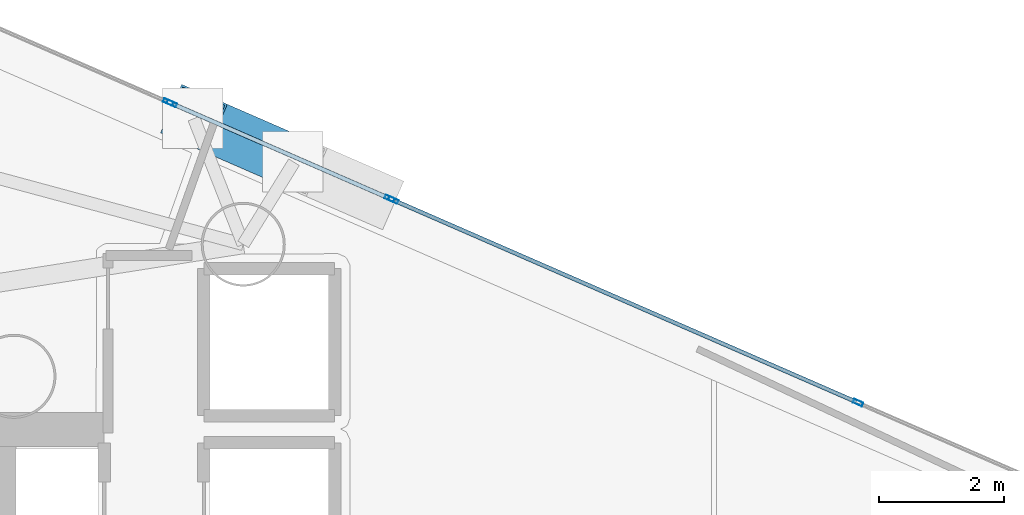
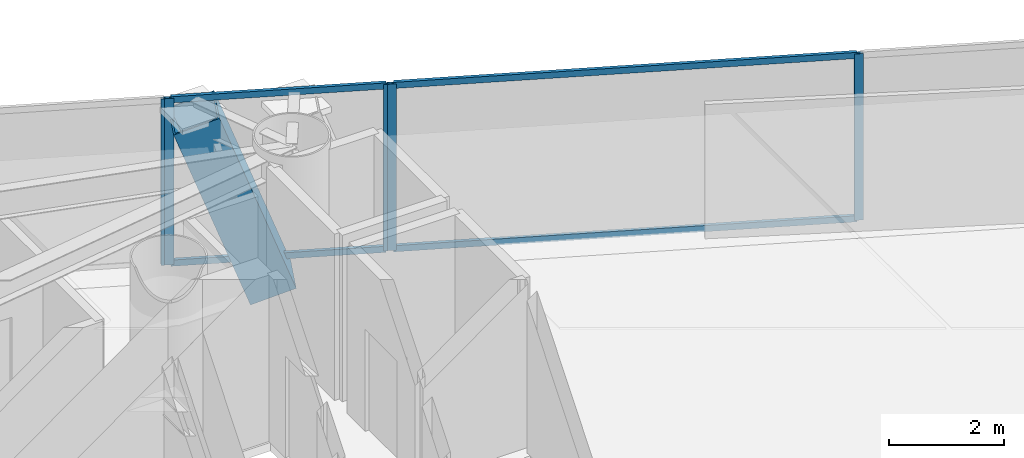
# One storey, part 12 of 20: 10 members, 3 elements without a shape of their own.
"""IFC4 building model written with IfcOpenShell, lengths in metres."""

from ifc_helpers import new_model, si_unit, direction, frame, origin, origin_2d, place, context, subcontext, project, spatial, hollow_rectangle, extrude, material, layer, layer_set, material_profile, profile_set, type_object, element, aggregate, save


model = new_model("IFC4")

# Units and contexts
model_context = context("Model", 3, precision=1e-05, world=origin(), true_north=direction((0.0, 1.0)))
body_context = subcontext(model_context, "Body", "Model", "MODEL_VIEW")
ifc_project = project(units=[si_unit("LENGTHUNIT", "METRE"), si_unit("AREAUNIT", "SQUARE_METRE"), si_unit("VOLUMEUNIT", "CUBIC_METRE"), si_unit("PLANEANGLEUNIT", "RADIAN"), si_unit("MASSUNIT", "GRAM", prefix="KILO")], contexts=[model_context])

# Site, building, storey
site_placement = place(None, origin())
site = spatial("IfcSite", under=ifc_project, at=site_placement, CompositionType="ELEMENT")
building_placement = place(site_placement, origin())
building = spatial("IfcBuilding", under=site, at=building_placement, Name="Qianvela Tower", CompositionType="ELEMENT")
storey_placement = place(building_placement, frame((0.0, 0.0, 151.300048828125)))
storey = spatial("IfcBuildingStorey", under=building, at=storey_placement, Name="L38", CompositionType="ELEMENT", Elevation=151.300048828125)

# Curtain wall, members
ifc_material_1 = material(Name="Anodised Architectural Aluminium and Insulated Spandrel Panel", Category="aluminium")
ifc_layer_1 = layer(ifc_material_1, 0.179931640625)
ifc_layer_set_1 = layer_set([ifc_layer_1], Name="Anodised Architectural Aluminium and Insulated Spandrel Panel")
curtain_wall_type_1 = type_object("IfcCurtainWallType", Name="CW-BRACEBAY", PredefinedType="USERDEFINED", material=ifc_layer_set_1)
curtain_wall_1_placement = place(storey_placement, origin())
curtain_wall_1 = element("IfcCurtainWall", 1, at=curtain_wall_1_placement, inside=storey, type_object=curtain_wall_type_1, Name="L38 CW-BRACEBAY Curtain Wall 02B", ObjectType="CURTAIN_WALL_SYSTEM", PredefinedType="USERDEFINED")
ifc_material_2 = material(Name="Anodised Architectural Aluminium 6063-T6", Category="aluminium")
ifc_material_profile_1 = material_profile(ifc_material_2, hollow_rectangle(XDim=0.06494140625, YDim=0.159912109375, WallThickness=0.0048828125, at=origin_2d()), Name="ALU-MULL-65x160")
ifc_profile_set_1 = profile_set([ifc_material_profile_1], Name="Anodised Architectural Aluminium 6063-T6")
member_type_1 = type_object("IfcMemberType", Name="CW-BRACEBAY-MULL", PredefinedType="MULLION", material=ifc_profile_set_1)
member_1_placement = place(storey_placement, frame((44.43359375, 36.40625, 0.0), z_axis=(0.0, 0.0, 1.0), x_axis=(-0.399607078086, -0.916686523924, 0.0)))
member_1 = element("IfcMember", 2, at=member_1_placement, type_object=member_type_1, Name="CW-9 mullion 1", PredefinedType="MULLION", context=body_context, shape_type="SweptSolid", body=[
    extrude(hollow_rectangle(XDim=0.06494140625, YDim=0.159912109375, WallThickness=0.0048828125, at=origin_2d()), origin(), (0.0, 0.0, 1.0), 3.52001953125),
])
member_2_placement = place(storey_placement, frame((40.9365234375, 37.9306640625, 0.0), z_axis=(0.0, 0.0, 1.0), x_axis=(-0.399607078086, -0.916686523924, 0.0)))
member_2 = element("IfcMember", 3, at=member_2_placement, type_object=member_type_1, Name="CW-9 mullion 2", PredefinedType="MULLION", context=body_context, shape_type="SweptSolid", body=[
    extrude(hollow_rectangle(XDim=0.06494140625, YDim=0.159912109375, WallThickness=0.0048828125, at=origin_2d()), origin(), (0.0, 0.0, 1.0), 3.52001953125),
])
ifc_material_3 = material(Name="Anodised Architectural Aluminium 6063-T6", Category="aluminium")
ifc_material_profile_2 = material_profile(ifc_material_3, hollow_rectangle(XDim=0.06494140625, YDim=0.1298828125, WallThickness=0.00439453125, at=origin_2d()), Name="ALU-TRAN-65x130")
ifc_profile_set_2 = profile_set([ifc_material_profile_2], Name="Anodised Architectural Aluminium 6063-T6")
member_type_2 = type_object("IfcMemberType", Name="CW-BRACEBAY-TRAN", PredefinedType="USERDEFINED", material=ifc_profile_set_2)
member_3_placement = place(storey_placement, frame((44.40380859375, 36.419189453125, 0.032470703125), z_axis=(-0.916682511493, 0.399616282354, 0.0), x_axis=(-0.399616282354, -0.916682511493, 0.0)))
member_3 = element("IfcMember", 4, at=member_3_placement, type_object=member_type_2, Name="CW-9 transom 1.1", ObjectType="TRANSOM", PredefinedType="USERDEFINED", context=body_context, shape_type="SweptSolid", body=[
    extrude(hollow_rectangle(XDim=0.06494140625, YDim=0.1298828125, WallThickness=0.00439453125, at=origin_2d()), origin(), (0.0, 0.0, 1.0), 3.75),
])
member_4_placement = place(storey_placement, frame((44.40380859375, 36.419189453125, 3.487548828125), z_axis=(-0.916682511493, 0.399616282354, 0.0), x_axis=(-0.399616282354, -0.916682511493, 0.0)))
member_4 = element("IfcMember", 5, at=member_4_placement, type_object=member_type_2, Name="CW-9 transom 1.2", ObjectType="TRANSOM", PredefinedType="USERDEFINED", context=body_context, shape_type="SweptSolid", body=[
    extrude(hollow_rectangle(XDim=0.06494140625, YDim=0.1298828125, WallThickness=0.00439453125, at=origin_2d()), origin(), (0.0, 0.0, 1.0), 3.75),
])
aggregate(curtain_wall_1, [member_1, member_2, member_3, member_4])

ifc_material_4 = material(Name="Anodised Architectural Aluminium and Low-E Glass", Category="aluminium")
ifc_layer_2 = layer(ifc_material_4, 0.169921875)
ifc_layer_set_2 = layer_set([ifc_layer_2], Name="Anodised Architectural Aluminium and Low-E Glass")
curtain_wall_type_2 = type_object("IfcCurtainWallType", Name="CW-COLIV-Z34", PredefinedType="USERDEFINED", material=ifc_layer_set_2)
curtain_wall_2_placement = place(storey_placement, origin())
curtain_wall_2 = element("IfcCurtainWall", 6, at=curtain_wall_2_placement, inside=storey, type_object=curtain_wall_type_2, Name="L38 CW-COLIV-Z34 Curtain Wall 02A", ObjectType="CURTAIN_WALL_SYSTEM", PredefinedType="USERDEFINED")
ifc_material_5 = material(Name="Anodised Architectural Aluminium 6063-T6", Category="aluminium")
ifc_material_profile_3 = material_profile(ifc_material_5, hollow_rectangle(XDim=0.06494140625, YDim=0.159912109375, WallThickness=0.0048828125, at=origin_2d()), Name="ALU-MULL-65x160")
ifc_profile_set_3 = profile_set([ifc_material_profile_3], Name="Anodised Architectural Aluminium 6063-T6")
member_type_3 = type_object("IfcMemberType", Name="CW-COLIV-Z34-MULL", PredefinedType="MULLION", material=ifc_profile_set_3)
member_5_placement = place(storey_placement, frame((51.95751953125, 33.12646484375, 0.0), z_axis=(0.0, 0.0, 1.0), x_axis=(-0.399596358692, -0.916691196707, 0.0)))
member_5 = element("IfcMember", 7, at=member_5_placement, type_object=member_type_3, Name="CW-4 mullion 2", PredefinedType="MULLION", context=body_context, shape_type="SweptSolid", body=[
    extrude(hollow_rectangle(XDim=0.06494140625, YDim=0.159912109375, WallThickness=0.0048828125, at=origin_2d()), origin(), (0.0, 0.0, 1.0), 3.52001953125),
])
member_6_placement = place(storey_placement, frame((44.493408203125, 36.380126953125, 0.0), z_axis=(0.0, 0.0, 1.0), x_axis=(-0.399596358692, -0.916691196707, 0.0)))
member_6 = element("IfcMember", 8, at=member_6_placement, type_object=member_type_3, Name="CW-4 mullion 3", PredefinedType="MULLION", context=body_context, shape_type="SweptSolid", body=[
    extrude(hollow_rectangle(XDim=0.06494140625, YDim=0.159912109375, WallThickness=0.0048828125, at=origin_2d()), origin(), (0.0, 0.0, 1.0), 3.52001953125),
])

# Curtain wall, member
curtain_wall_3_placement = place(storey_placement, origin())
curtain_wall_3 = element("IfcCurtainWall", 9, at=curtain_wall_3_placement, inside=storey, type_object=curtain_wall_type_2, Name="L38 CW-COLIV-Z34 Curtain Wall 02C", ObjectType="CURTAIN_WALL_SYSTEM", PredefinedType="USERDEFINED")
member_7_placement = place(storey_placement, frame((40.876953125, 37.956787109375, 0.0), z_axis=(0.0, 0.0, 1.0), x_axis=(-0.399595393471, -0.916691617458, 0.0)))
member_7 = element("IfcMember", 10, at=member_7_placement, type_object=member_type_3, Name="CW-4 mullion 1", PredefinedType="MULLION", context=body_context, shape_type="SweptSolid", body=[
    extrude(hollow_rectangle(XDim=0.06494140625, YDim=0.159912109375, WallThickness=0.0048828125, at=origin_2d()), origin(), (0.0, 0.0, 1.0), 3.52001953125),
])
aggregate(curtain_wall_3, [member_7])

# Member
ifc_material_6 = material(Name="Anodised Architectural Aluminium 6063-T6", Category="aluminium")
ifc_material_profile_4 = material_profile(ifc_material_6, hollow_rectangle(XDim=0.06494140625, YDim=0.1298828125, WallThickness=0.00439453125, at=origin_2d()), Name="ALU-TRAN-65x130")
ifc_profile_set_4 = profile_set([ifc_material_profile_4], Name="Anodised Architectural Aluminium 6063-T6")
member_type_4 = type_object("IfcMemberType", Name="CW-COLIV-Z34-TRAN", PredefinedType="USERDEFINED", material=ifc_profile_set_4)
member_8_placement = place(storey_placement, frame((51.927734375, 33.139404296875, 0.032470703125), z_axis=(-0.916688583684, 0.399602353025, 0.0), x_axis=(-0.399602353025, -0.916688583684, 0.0)))
member_8 = element("IfcMember", 11, at=member_8_placement, type_object=member_type_4, Name="CW-4 transom 2.1", ObjectType="TRANSOM", PredefinedType="USERDEFINED", context=body_context, shape_type="SweptSolid", body=[
    extrude(hollow_rectangle(XDim=0.06494140625, YDim=0.1298828125, WallThickness=0.00439453125, at=origin_2d()), origin(), (0.0, 0.0, 1.0), 8.077392578125),
])

member_9_placement = place(storey_placement, frame((51.927734375, 33.139404296875, 3.487548828125), z_axis=(-0.916688583684, 0.399602353025, 0.0), x_axis=(-0.399602353025, -0.916688583684, 0.0)))
member_9 = element("IfcMember", 12, at=member_9_placement, type_object=member_type_4, Name="CW-4 transom 2.2", ObjectType="TRANSOM", PredefinedType="USERDEFINED", context=body_context, shape_type="SweptSolid", body=[
    extrude(hollow_rectangle(XDim=0.06494140625, YDim=0.1298828125, WallThickness=0.00439453125, at=origin_2d()), origin(), (0.0, 0.0, 1.0), 8.077392578125),
])

aggregate(curtain_wall_2, [member_5, member_6, member_8, member_9])

ifc_material_7 = material(Name="Steel Q420GJC", Category="steel")
ifc_material_profile_5 = material_profile(ifc_material_7, hollow_rectangle(XDim=0.85009765625, YDim=0.85009765625, WallThickness=0.031982421875, at=origin_2d()), Name="MBOX-850x850x32")
ifc_profile_set_5 = profile_set([ifc_material_profile_5], Name="Steel Q420GJC")
member_type_5 = type_object("IfcMemberType", Name="MBR-MBRACE-850", PredefinedType="BRACE", material=ifc_profile_set_5)
member_10_placement = place(storey_placement, frame((42.51904296875, 37.153564453125, -0.48193359375), z_axis=(-0.311967537287, 0.136004940679, 0.940307881382), x_axis=(-0.39963255977, -0.916675415385, 0.0)))
element("IfcMember", 13, at=member_10_placement, inside=storey, type_object=member_type_5, Name="L38 Tier 6 Exterior Mega-Brace F1B", PredefinedType="BRACE", context=body_context, shape_type="SweptSolid", body=[
    extrude(hollow_rectangle(XDim=0.85009765625, YDim=0.85009765625, WallThickness=0.031982421875, at=origin_2d()), origin(), (0.0, 0.0, 1.0), 3.934814453125),
])

save(model, "model.ifc")
